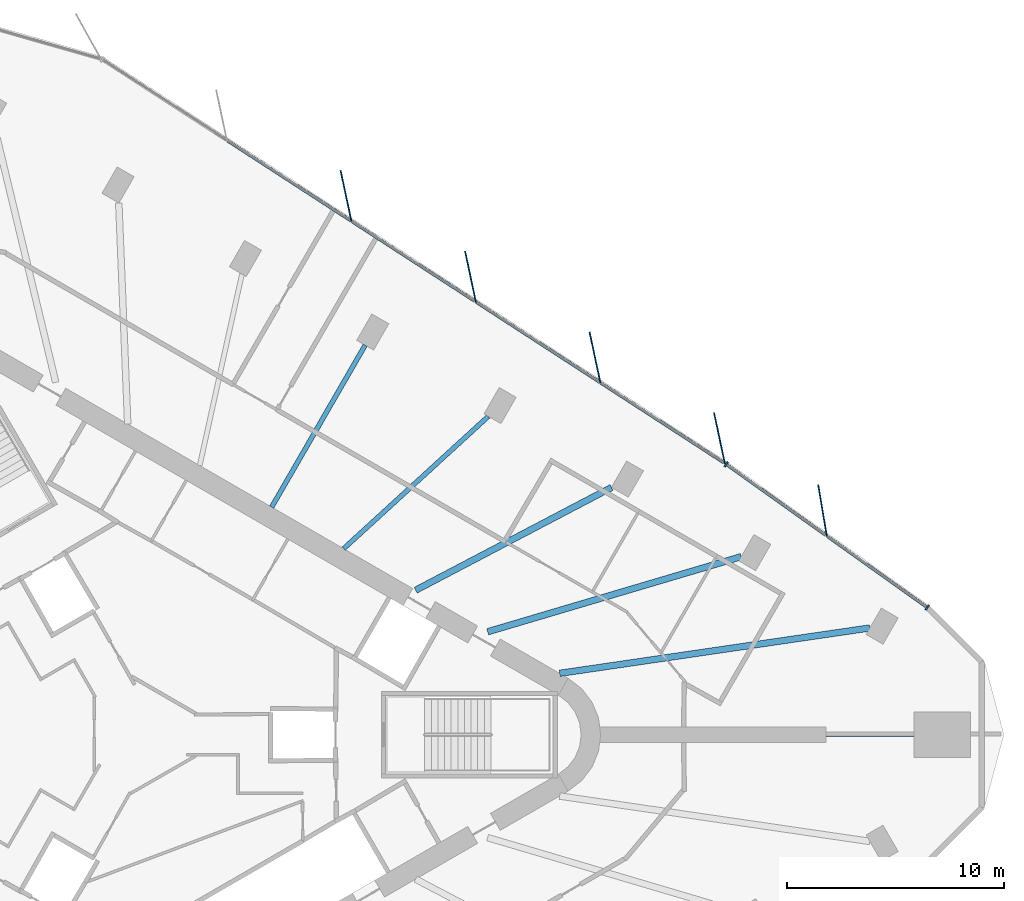
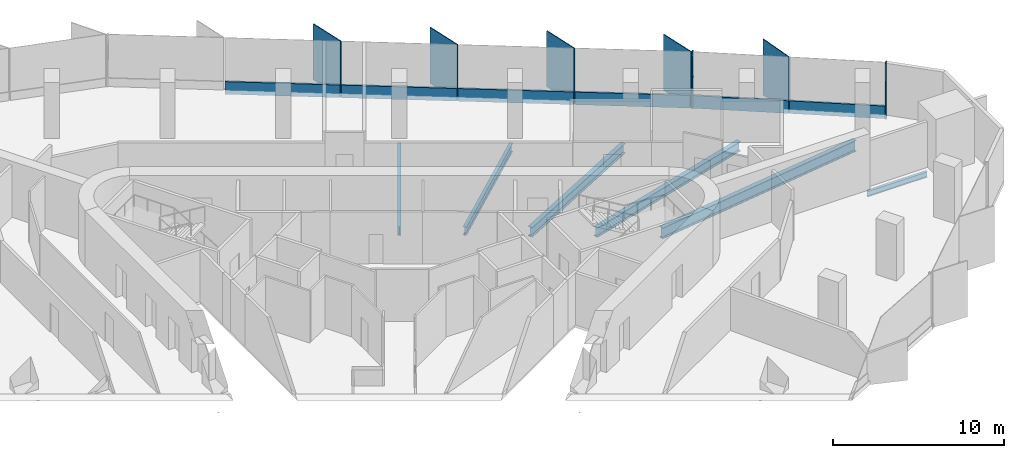
# One storey, part 5 of 14: 13 members, 6 beams, 2 elements without a shape of their own.
"""IFC4 building model written with IfcOpenShell, lengths in metres."""

from ifc_helpers import new_model, si_unit, direction, frame, origin, origin_2d, place, context, subcontext, project, spatial, rectangle, i_section, extrude, material, material_profile, profile_set, type_object, element, aggregate, save


model = new_model("IFC4")

# Units and contexts
model_context = context("Model", 3, precision=1e-05, world=origin(), true_north=direction((0.0, 1.0)))
body_context = subcontext(model_context, "Body", "Model", "MODEL_VIEW")
ifc_project = project(units=[si_unit("LENGTHUNIT", "METRE"), si_unit("AREAUNIT", "SQUARE_METRE"), si_unit("VOLUMEUNIT", "CUBIC_METRE"), si_unit("PLANEANGLEUNIT", "RADIAN"), si_unit("MASSUNIT", "GRAM", prefix="KILO")], contexts=[model_context])

# Site, building, storey
site_placement = place(None, origin())
site = spatial("IfcSite", under=ifc_project, at=site_placement, CompositionType="ELEMENT")
building_placement = place(site_placement, origin())
building = spatial("IfcBuilding", under=site, at=building_placement, Name="Tanit Gate Tower", CompositionType="ELEMENT")
storey_placement = place(building_placement, frame((0.0, 0.0, 261.199951171875)))
storey = spatial("IfcBuildingStorey", under=building, at=storey_placement, Name="L59", CompositionType="ELEMENT", Elevation=261.199951171875)

# Curtain wall, member
ifc_material_1 = material(Name="Aluminium bronze anodised and glass", Category="aluminium")
curtain_wall_type = type_object("IfcCurtainWallType", Name="Curtain wall typical mid", PredefinedType="NOTDEFINED", material=ifc_material_1)
curtain_wall_1_placement = place(storey_placement, origin())
curtain_wall_1 = element("IfcCurtainWall", 1, at=curtain_wall_1_placement, inside=storey, type_object=curtain_wall_type, Name="Curtain wall L59 NE1", PredefinedType="NOTDEFINED")
ifc_material_2 = material(Name="Aluminium bronze anodised", Category="aluminium")
ifc_material_profile_1 = material_profile(ifc_material_2, rectangle(XDim=2.39990234375, YDim=0.055908203125, at=origin_2d()), Name="56x2400 bronze fin mullion")
ifc_profile_set_1 = profile_set([ifc_material_profile_1], Name="Aluminium bronze anodised")
member_type_1 = type_object("IfcMemberType", Name="FIN MULLION 56x2400 bronze", PredefinedType="MULLION", material=ifc_profile_set_1)
member_1_placement = place(storey_placement, frame((31.41357421875, 10.318115234375, -0.300048828125), z_axis=(0.0, 0.0, 1.0), x_axis=(0.165705178355, -0.986175336269, 0.0)))
member_1 = element("IfcMember", 2, at=member_1_placement, type_object=member_type_1, Name="Fin mullion L59 NE1.2", PredefinedType="MULLION", context=body_context, shape_type="SweptSolid", body=[
    extrude(rectangle(XDim=2.39990234375, YDim=0.055908203125, at=origin_2d()), origin(), (0.0, 0.0, 1.0), 4.0),
])

# Curtain wall, members
curtain_wall_2_placement = place(storey_placement, origin())
curtain_wall_2 = element("IfcCurtainWall", 3, at=curtain_wall_2_placement, inside=storey, type_object=curtain_wall_type, Name="Curtain wall L59 NE2", PredefinedType="NOTDEFINED")
member_2_placement = place(storey_placement, frame((26.668701171875, 13.650390625, -0.300048828125), z_axis=(0.0, 0.0, 1.0), x_axis=(0.208373118697, -0.978049407445, 0.0)))
member_2 = element("IfcMember", 4, at=member_2_placement, type_object=member_type_1, Name="Fin mullion L59 NE2.1", PredefinedType="MULLION", context=body_context, shape_type="SweptSolid", body=[
    extrude(rectangle(XDim=2.39990234375, YDim=0.055908203125, at=origin_2d()), origin(), (0.0, 0.0, 1.0), 4.0),
])
member_3_placement = place(storey_placement, frame((20.936767578125, 17.368896484375, -0.300048828125), z_axis=(0.0, 0.0, 1.0), x_axis=(0.208373118697, -0.978049407445, 0.0)))
member_3 = element("IfcMember", 5, at=member_3_placement, type_object=member_type_1, Name="Fin mullion L59 NE2.2", PredefinedType="MULLION", context=body_context, shape_type="SweptSolid", body=[
    extrude(rectangle(XDim=2.39990234375, YDim=0.055908203125, at=origin_2d()), origin(), (0.0, 0.0, 1.0), 4.0),
])
member_4_placement = place(storey_placement, frame((15.204833984375, 21.08740234375, -0.300048828125), z_axis=(0.0, 0.0, 1.0), x_axis=(0.208373118697, -0.978049407445, 0.0)))
member_4 = element("IfcMember", 6, at=member_4_placement, type_object=member_type_1, Name="Fin mullion L59 NE2.3", PredefinedType="MULLION", context=body_context, shape_type="SweptSolid", body=[
    extrude(rectangle(XDim=2.39990234375, YDim=0.055908203125, at=origin_2d()), origin(), (0.0, 0.0, 1.0), 4.0),
])
member_5_placement = place(storey_placement, frame((9.47265625, 24.805908203125, -0.300048828125), z_axis=(0.0, 0.0, 1.0), x_axis=(0.208373118697, -0.978049407445, 0.0)))
member_5 = element("IfcMember", 7, at=member_5_placement, type_object=member_type_1, Name="Fin mullion L59 NE2.4", PredefinedType="MULLION", context=body_context, shape_type="SweptSolid", body=[
    extrude(rectangle(XDim=2.39990234375, YDim=0.055908203125, at=origin_2d()), origin(), (0.0, 0.0, 1.0), 4.0),
])

# Member
ifc_material_3 = material(Name="Aluminium bronze anodised", Category="aluminium")
ifc_material_profile_2 = material_profile(ifc_material_3, rectangle(XDim=0.260009765625, YDim=0.080078125, at=origin_2d()), Name="80x260 bronze mullion")
ifc_profile_set_2 = profile_set([ifc_material_profile_2], Name="Aluminium bronze anodised")
member_type_2 = type_object("IfcMemberType", Name="Mullion 80x260 typical mid", PredefinedType="MULLION", material=ifc_profile_set_2)
member_6_placement = place(storey_placement, frame((36.2373046875, 5.85888671875, -0.300048828125), z_axis=(0.0, 0.0, 1.0), x_axis=(-0.580160012422, -0.814502523008, 0.0)))
member_6 = element("IfcMember", 8, at=member_6_placement, type_object=member_type_2, Name="Mullion L59 NE1.1", PredefinedType="MULLION", context=body_context, shape_type="SweptSolid", body=[
    extrude(rectangle(XDim=0.260009765625, YDim=0.080078125, at=origin_2d()), origin(), (0.0, 0.0, 1.0), 4.0),
])

member_7_placement = place(storey_placement, frame((26.98046875, 12.452392578125, -0.300048828125), z_axis=(0.0, 0.0, 1.0), x_axis=(-0.580160012422, -0.814502523008, 0.0)))
member_7 = element("IfcMember", 9, at=member_7_placement, type_object=member_type_2, Name="Mullion L59 NE1.3", PredefinedType="MULLION", context=body_context, shape_type="SweptSolid", body=[
    extrude(rectangle(XDim=0.260009765625, YDim=0.080078125, at=origin_2d()), origin(), (0.0, 0.0, 1.0), 4.0),
])

# Beams
ifc_material_4 = material(Name="Steel S355", Category="steel")
ifc_material_profile_3 = material_profile(ifc_material_4, i_section(OverallWidth=0.300048828125, OverallDepth=0.68994140625, WebThickness=0.014404296875, FlangeThickness=0.027099609375, FilletRadius=0.027099609375, at=origin_2d()), Name="HEA 700")
ifc_profile_set_3 = profile_set([ifc_material_profile_3], Name="Steel S355")
beam_type_1 = type_object("IfcBeamType", Name="RADIAL GIRDER HEA 700 S355", PredefinedType="BEAM", material=ifc_profile_set_3)
beam_1_placement = place(storey_placement, frame((27.66845703125, 8.197021484375, -0.64501953125), z_axis=(-0.958810250553, -0.284047361252, 0.0), x_axis=(0.284047361252, -0.958810250553, 0.0)))
element("IfcBeam", 10, at=beam_1_placement, inside=storey, type_object=beam_type_1, Name="RADIAL GIRDER", PredefinedType="BEAM", context=body_context, shape_type="SweptSolid", body=[
    extrude(i_section(OverallWidth=0.300048828125, OverallDepth=0.68994140625, WebThickness=0.014404296875, FlangeThickness=0.027099609375, FilletRadius=0.027099609375, at=origin_2d()), origin(), (0.0, 0.0, 1.0), 12.174072265625),
])
beam_2_placement = place(storey_placement, frame((21.697998046875, 11.383544921875, -0.64501953125), z_axis=(-0.885529600193, -0.464582960495, 0.0), x_axis=(0.464582960495, -0.885529600193, 0.0)))
element("IfcBeam", 11, at=beam_2_placement, inside=storey, type_object=beam_type_1, Name="RADIAL GIRDER", PredefinedType="BEAM", context=body_context, shape_type="SweptSolid", body=[
    extrude(i_section(OverallWidth=0.300048828125, OverallDepth=0.68994140625, WebThickness=0.014404296875, FlangeThickness=0.027099609375, FilletRadius=0.027099609375, at=origin_2d()), origin(), (0.0, 0.0, 1.0), 10.1826171875),
])
ifc_material_5 = material(Name="Steel S355", Category="steel")
ifc_material_profile_4 = material_profile(ifc_material_5, i_section(OverallWidth=0.300048828125, OverallDepth=0.7900390625, WebThickness=0.014892578125, FlangeThickness=0.028076171875, FilletRadius=0.030029296875, at=origin_2d()), Name="HEA 800")
ifc_profile_set_4 = profile_set([ifc_material_profile_4], Name="Steel S355")
beam_type_2 = type_object("IfcBeamType", Name="RADIAL GIRDER HEA 800 S355", PredefinedType="BEAM", material=ifc_profile_set_4)
beam_3_placement = place(storey_placement, frame((33.59130859375, 4.914306640625, -0.695068359375), z_axis=(-0.989468215533, -0.144750303802, 0.0), x_axis=(0.144750303802, -0.989468215533, 0.0)))
element("IfcBeam", 12, at=beam_3_placement, inside=storey, type_object=beam_type_2, Name="RADIAL GIRDER", PredefinedType="BEAM", context=body_context, shape_type="SweptSolid", body=[
    extrude(i_section(OverallWidth=0.300048828125, OverallDepth=0.7900390625, WebThickness=0.014892578125, FlangeThickness=0.028076171875, FilletRadius=0.030029296875, at=origin_2d()), origin(), (0.0, 0.0, 1.0), 14.4326171875),
])
ifc_material_6 = material(Name="Steel S355", Category="steel")
ifc_material_profile_5 = material_profile(ifc_material_6, i_section(OverallWidth=0.179931640625, OverallDepth=0.39990234375, WebThickness=0.008544921875, FlangeThickness=0.013427734375, FilletRadius=0.02099609375, at=origin_2d()), Name="IPE 400")
ifc_profile_set_5 = profile_set([ifc_material_profile_5], Name="Steel S355")
beam_type_3 = type_object("IfcBeamType", Name="RADIAL GIRDER IPE 400 S355", PredefinedType="BEAM", material=ifc_profile_set_5)
beam_4_placement = place(storey_placement, frame((35.6201171875, 0.0, -0.5), z_axis=(-1.0, 0.0, 0.0), x_axis=(0.0, -1.0, 0.0)))
element("IfcBeam", 13, at=beam_4_placement, inside=storey, type_object=beam_type_3, Name="RADIAL GIRDER", PredefinedType="BEAM", context=body_context, shape_type="SweptSolid", body=[
    extrude(i_section(OverallWidth=0.179931640625, OverallDepth=0.39990234375, WebThickness=0.008544921875, FlangeThickness=0.013427734375, FilletRadius=0.02099609375, at=origin_2d()), origin(), (0.0, 0.0, 1.0), 4.03759765625),
])
ifc_material_7 = material(Name="Steel S355", Category="steel")
ifc_material_profile_6 = material_profile(ifc_material_7, i_section(OverallWidth=0.219970703125, OverallDepth=0.60009765625, WebThickness=0.011962890625, FlangeThickness=0.01904296875, FilletRadius=0.02392578125, at=origin_2d()), Name="IPE 600")
ifc_profile_set_6 = profile_set([ifc_material_profile_6], Name="Steel S355")
beam_type_4 = type_object("IfcBeamType", Name="RADIAL GIRDER IPE 600 S355", PredefinedType="BEAM", material=ifc_profile_set_6)
beam_5_placement = place(storey_placement, frame((16.02587890625, 14.658203125, -0.599853515625), z_axis=(-0.737904866166, -0.674904740307, 0.0), x_axis=(0.674904740307, -0.737904866166, 0.0)))
element("IfcBeam", 14, at=beam_5_placement, inside=storey, type_object=beam_type_4, Name="RADIAL GIRDER", PredefinedType="BEAM", context=body_context, shape_type="SweptSolid", body=[
    extrude(i_section(OverallWidth=0.219970703125, OverallDepth=0.60009765625, WebThickness=0.011962890625, FlangeThickness=0.01904296875, FilletRadius=0.02392578125, at=origin_2d()), origin(), (0.0, 0.0, 1.0), 9.025390625),
])
beam_6_placement = place(storey_placement, frame((10.353759765625, 17.93310546875, -0.599853515625), z_axis=(-0.500008150211, -0.866020698207, 0.0), x_axis=(0.866020698207, -0.500008150211, 0.0)))
element("IfcBeam", 15, at=beam_6_placement, inside=storey, type_object=beam_type_4, Name="RADIAL GIRDER", PredefinedType="BEAM", context=body_context, shape_type="SweptSolid", body=[
    extrude(i_section(OverallWidth=0.219970703125, OverallDepth=0.60009765625, WebThickness=0.011962890625, FlangeThickness=0.01904296875, FilletRadius=0.02392578125, at=origin_2d()), origin(), (0.0, 0.0, 1.0), 8.605224609375),
])

# Member
ifc_material_8 = material(Name="Aluminium bronze anodised", Category="aluminium")
ifc_material_profile_7 = material_profile(ifc_material_8, rectangle(XDim=0.139892578125, YDim=0.89990234375, at=origin_2d()), Name="140x900 bronze transom")
ifc_profile_set_7 = profile_set([ifc_material_profile_7], Name="Aluminium bronze anodised")
member_type_3 = type_object("IfcMemberType", Name="Transom 140x900 typical mid", PredefinedType="USERDEFINED", material=ifc_profile_set_7)
member_8_placement = place(storey_placement, frame((36.204833984375, 5.882080078125, 0.150146484375), z_axis=(-0.814489482689, 0.580178319647, 0.0), x_axis=(-0.580178319647, -0.814489482689, 0.0)))
member_8 = element("IfcMember", 16, at=member_8_placement, type_object=member_type_3, Name="Transom L59 NE1.1", ObjectType="TRANSOM", PredefinedType="USERDEFINED", context=body_context, shape_type="SweptSolid", body=[
    extrude(rectangle(XDim=0.139892578125, YDim=0.89990234375, at=origin_2d()), origin(), (0.0, 0.0, 1.0), 5.6025390625),
])

member_9_placement = place(storey_placement, frame((31.576416015625, 9.178955078125, 0.150146484375), z_axis=(-0.814524741061, 0.580128818625, 0.0), x_axis=(-0.580128818625, -0.814524741061, 0.0)))
member_9 = element("IfcMember", 17, at=member_9_placement, type_object=member_type_3, Name="Transom L59 NE1.2", ObjectType="TRANSOM", PredefinedType="USERDEFINED", context=body_context, shape_type="SweptSolid", body=[
    extrude(rectangle(XDim=0.139892578125, YDim=0.89990234375, at=origin_2d()), origin(), (0.0, 0.0, 1.0), 5.6025390625),
])

aggregate(curtain_wall_1, [member_6, member_1, member_7, member_8, member_9])

member_10_placement = place(storey_placement, frame((26.880859375, 12.519287109375, 0.150146484375), z_axis=(-0.83893228777, 0.544235809679, 0.0), x_axis=(-0.544235809679, -0.83893228777, 0.0)))
member_10 = element("IfcMember", 18, at=member_10_placement, type_object=member_type_3, Name="Transom L59 NE2.1", ObjectType="TRANSOM", PredefinedType="USERDEFINED", context=body_context, shape_type="SweptSolid", body=[
    extrude(rectangle(XDim=0.139892578125, YDim=0.89990234375, at=origin_2d()), origin(), (0.0, 0.0, 1.0), 6.752685546875),
])

member_11_placement = place(storey_placement, frame((21.148681640625, 16.23779296875, 0.150146484375), z_axis=(-0.838921578545, 0.544252317452, 0.0), x_axis=(-0.544252317452, -0.838921578545, 0.0)))
member_11 = element("IfcMember", 19, at=member_11_placement, type_object=member_type_3, Name="Transom L59 NE2.2", ObjectType="TRANSOM", PredefinedType="USERDEFINED", context=body_context, shape_type="SweptSolid", body=[
    extrude(rectangle(XDim=0.139892578125, YDim=0.89990234375, at=origin_2d()), origin(), (0.0, 0.0, 1.0), 6.75244140625),
])

member_12_placement = place(storey_placement, frame((15.416748046875, 19.956298828125, 0.150146484375), z_axis=(-0.838921578545, 0.544252317452, 0.0), x_axis=(-0.544252317452, -0.838921578545, 0.0)))
member_12 = element("IfcMember", 20, at=member_12_placement, type_object=member_type_3, Name="Transom L59 NE2.3", ObjectType="TRANSOM", PredefinedType="USERDEFINED", context=body_context, shape_type="SweptSolid", body=[
    extrude(rectangle(XDim=0.139892578125, YDim=0.89990234375, at=origin_2d()), origin(), (0.0, 0.0, 1.0), 6.75244140625),
])

member_13_placement = place(storey_placement, frame((9.684814453125, 23.6748046875, 0.150146484375), z_axis=(-0.838921578545, 0.544252317452, 0.0), x_axis=(-0.544252317452, -0.838921578545, 0.0)))
member_13 = element("IfcMember", 21, at=member_13_placement, type_object=member_type_3, Name="Transom L59 NE2.4", ObjectType="TRANSOM", PredefinedType="USERDEFINED", context=body_context, shape_type="SweptSolid", body=[
    extrude(rectangle(XDim=0.139892578125, YDim=0.89990234375, at=origin_2d()), origin(), (0.0, 0.0, 1.0), 6.75244140625),
])

aggregate(curtain_wall_2, [member_2, member_3, member_4, member_5, member_10, member_11, member_12, member_13])

save(model, "model.ifc")
